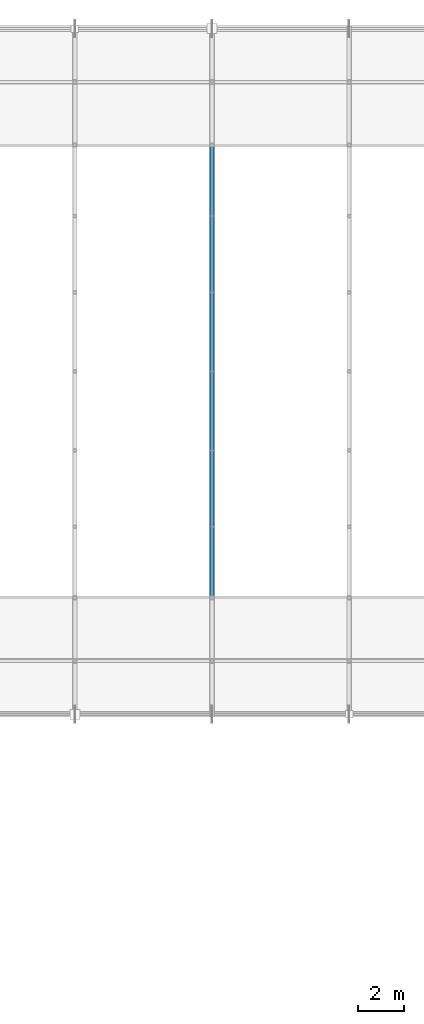
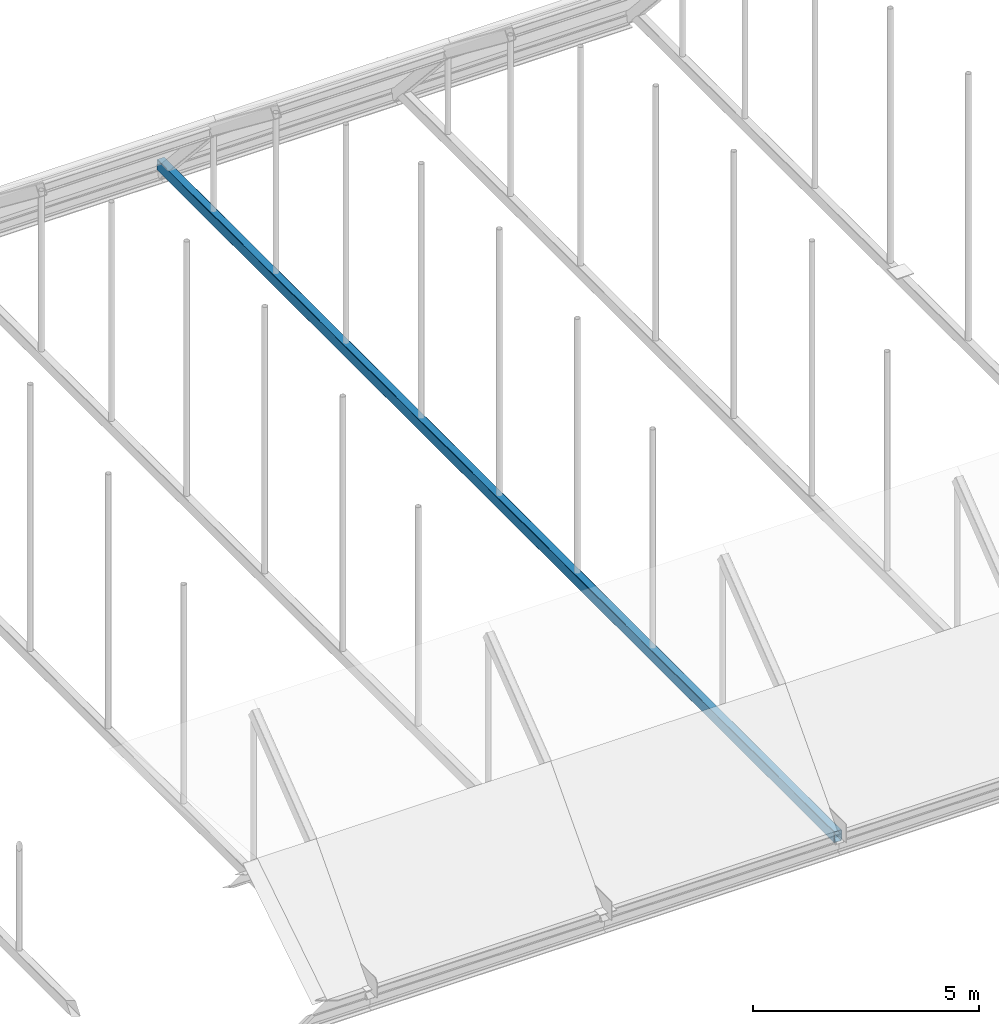
# One storey, part 31 of 63: 1 member.
"""IFC4 building model written with IfcOpenShell, lengths in metres."""

from ifc_helpers import new_model, si_unit, direction, frame, origin, origin_2d, place, context, subcontext, project, spatial, hollow_rectangle, extrude, material, material_profile, profile_set, type_object, element, save


model = new_model("IFC4")

# Units and contexts
model_context = context("Model", 3, precision=1e-05, world=origin(), true_north=direction((0.0, 1.0)))
body_context = subcontext(model_context, "Body", "Model", "MODEL_VIEW")
ifc_project = project(units=[si_unit("LENGTHUNIT", "METRE"), si_unit("AREAUNIT", "SQUARE_METRE"), si_unit("VOLUMEUNIT", "CUBIC_METRE"), si_unit("PLANEANGLEUNIT", "RADIAN"), si_unit("MASSUNIT", "GRAM", prefix="KILO")], contexts=[model_context])

# Site, building, storey
site_placement = place(None, origin())
site = spatial("IfcSite", under=ifc_project, at=site_placement, CompositionType="ELEMENT")
building_placement = place(site_placement, origin())
building = spatial("IfcBuilding", under=site, at=building_placement, Name="Varnakota Square Police Headquarters", CompositionType="ELEMENT")
storey_placement = place(building_placement, frame((0.0, 0.0, 22.199951171875)))
storey = spatial("IfcBuildingStorey", under=building, at=storey_placement, Name="L05", CompositionType="ELEMENT", Elevation=22.199951171875)

# Member
ifc_material = material(Name="Steel IS 2062 Grade 350", Category="steel")
ifc_material_profile = material_profile(ifc_material, hollow_rectangle(XDim=0.199951171875, YDim=0.300048828125, WallThickness=0.011962890625, InnerFilletRadius=0.011962890625, OuterFilletRadius=0.02392578125, at=origin_2d()), Name="RHS 300x200x12")
ifc_profile_set = profile_set([ifc_material_profile], Name="Steel IS 2062 Grade 350")
member_type = type_object("IfcMemberType", Name="MEM-TIE-RHS300", PredefinedType="CHORD", material=ifc_profile_set)
member_placement = place(storey_placement, frame((84.0, 69.0, -0.14990234375), z_axis=(0.0, 1.0, 0.0), x_axis=(-1.0, 0.0, 0.0)))
element("IfcMember", 1, at=member_placement, inside=storey, type_object=member_type, Name="Barrel vault tie rod V2-R05", PredefinedType="CHORD", context=body_context, shape_type="SweptSolid", body=[
    extrude(hollow_rectangle(XDim=0.199951171875, YDim=0.300048828125, WallThickness=0.011962890625, InnerFilletRadius=0.011962890625, OuterFilletRadius=0.02392578125, at=origin_2d()), origin(), (0.0, 0.0, 1.0), 30.0),
])

save(model, "model.ifc")
